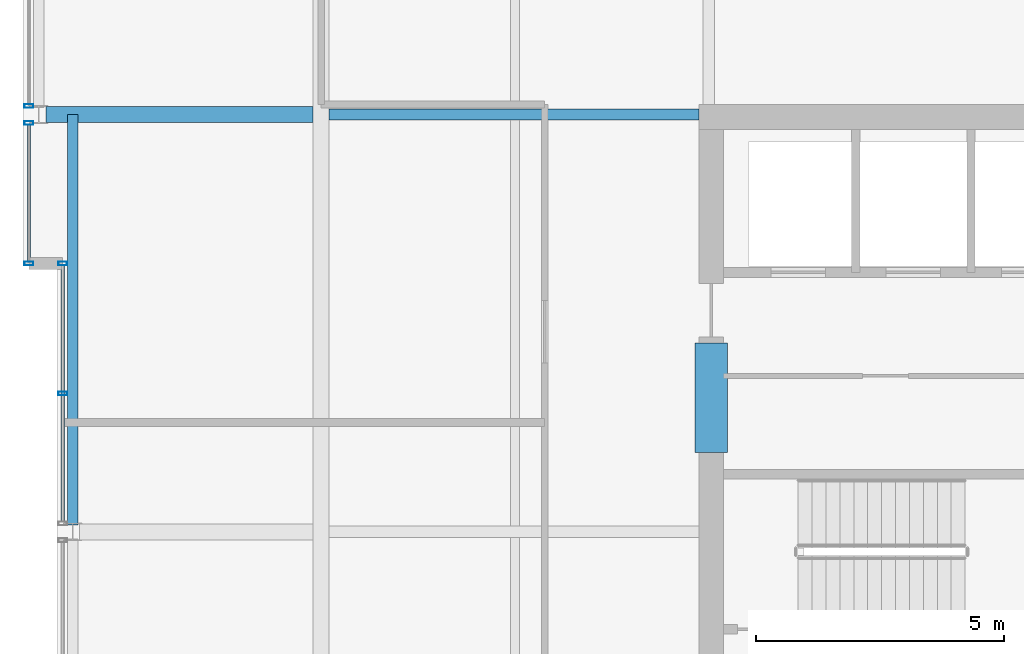
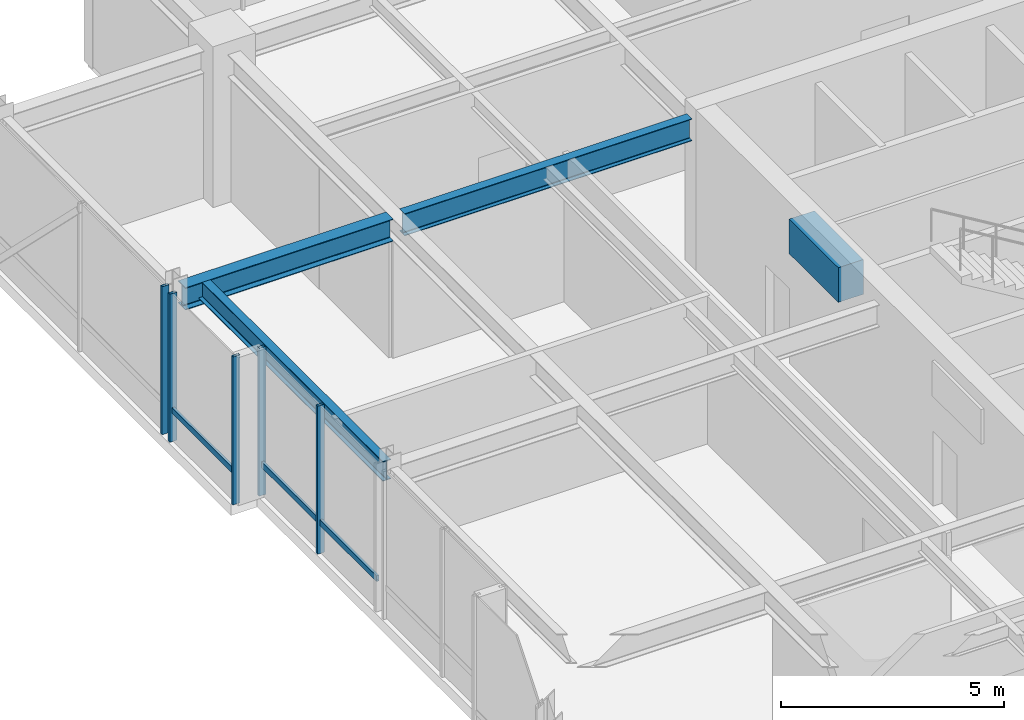
# One storey, part 14 of 33: 7 members, 4 beams, 3 elements without a shape of their own.
"""IFC4 building model written with IfcOpenShell, lengths in metres."""

from ifc_helpers import new_model, si_unit, direction, frame, origin, origin_2d, place, context, subcontext, project, spatial, rectangle, hollow_rectangle, i_section, extrude, material, layer, layer_set, material_profile, profile_set, type_object, element, aggregate, save


model = new_model("IFC4")

# Units and contexts
model_context = context("Model", 3, precision=1e-05, world=origin(), true_north=direction((0.0, 1.0)))
body_context = subcontext(model_context, "Body", "Model", "MODEL_VIEW")
ifc_project = project(units=[si_unit("LENGTHUNIT", "METRE"), si_unit("AREAUNIT", "SQUARE_METRE"), si_unit("VOLUMEUNIT", "CUBIC_METRE"), si_unit("PLANEANGLEUNIT", "RADIAN"), si_unit("MASSUNIT", "GRAM", prefix="KILO")], contexts=[model_context])

# Site, building, storey
site_placement = place(None, origin())
site = spatial("IfcSite", under=ifc_project, at=site_placement, CompositionType="ELEMENT")
building_placement = place(site_placement, origin())
building = spatial("IfcBuilding", under=site, at=building_placement, Name="Drelvath Grand Hotel", CompositionType="ELEMENT")
storey_placement = place(building_placement, frame((0.0, 0.0, 298.60009765625)))
storey = spatial("IfcBuildingStorey", under=building, at=storey_placement, Name="L78", CompositionType="ELEMENT", Elevation=298.60009765625)

# Beam
ifc_material_1 = material(Name="Concrete f'c 55 MPa", Category="concrete")
ifc_material_profile_1 = material_profile(ifc_material_1, rectangle(XDim=0.64990234375, YDim=0.949951171875, at=origin_2d()), Name="CB650X950")
ifc_profile_set_1 = profile_set([ifc_material_profile_1], Name="Concrete f'c 55 MPa")
beam_type_1 = type_object("IfcBeamType", Name="Core Coupling Lintel CB650X950", PredefinedType="LINTEL", material=ifc_profile_set_1)
beam_1_placement = place(storey_placement, frame((-8.35009765625, 28.60009765625, 3.574951171875), z_axis=(0.0, 1.0, 0.0), x_axis=(-1.0, 0.0, 0.0)))
element("IfcBeam", 1, at=beam_1_placement, inside=storey, type_object=beam_type_1, Name="L78 Core Coupling Lintel WN", PredefinedType="LINTEL", context=body_context, shape_type="SweptSolid", body=[
    extrude(rectangle(XDim=0.64990234375, YDim=0.949951171875, at=origin_2d()), origin(), (0.0, 0.0, 1.0), 2.199951171875),
])

# Curtain wall, member
ifc_material_2 = material(Name="Platinum-Mist Anodised Aluminium Frame", Category="aluminium")
ifc_layer = layer(ifc_material_2, 0.199951171875)
ifc_layer_set = layer_set([ifc_layer], Name="Platinum-Mist Anodised Aluminium Frame")
curtain_wall_type = type_object("IfcCurtainWallType", Name="Stick Curtain Wall CW-05 Platinum Mist High-Rise", PredefinedType="NOTDEFINED", material=ifc_layer_set)
curtain_wall_1_placement = place(storey_placement, origin())
curtain_wall_1 = element("IfcCurtainWall", 2, at=curtain_wall_1_placement, inside=storey, type_object=curtain_wall_type, Name="L78 CW-05 Curtain Wall CW05-L78-WM2", PredefinedType="NOTDEFINED")
ifc_material_profile_2 = material_profile(ifc_material_2, hollow_rectangle(XDim=0.06494140625, YDim=0.159912109375, WallThickness=0.00390625, at=origin_2d()), Name="HSS160X65X4")
ifc_profile_set_2 = profile_set([ifc_material_profile_2], Name="Platinum-Mist Anodised Aluminium Frame")
member_type_1 = type_object("IfcMemberType", Name="Curtain Wall Horizontal Transom CW-05 HSS160X65X4", PredefinedType="USERDEFINED", material=ifc_profile_set_2)
member_1_placement = place(storey_placement, frame((-21.39990234375, 27.2099609375, 0.849853515625), z_axis=(0.0, 1.0, 0.0), x_axis=(-1.0, 0.0, 0.0)))
member_1 = element("IfcMember", 3, at=member_1_placement, type_object=member_type_1, Name="CW05-L78-WM2 Sill Transom", ObjectType="TRANSOM", PredefinedType="USERDEFINED", context=body_context, shape_type="SweptSolid", body=[
    extrude(hollow_rectangle(XDim=0.06494140625, YDim=0.159912109375, WallThickness=0.00390625, at=origin_2d()), origin(), (0.0, 0.0, 1.0), 5.150146484375),
])

curtain_wall_2_placement = place(storey_placement, origin())
curtain_wall_2 = element("IfcCurtainWall", 4, at=curtain_wall_2_placement, inside=storey, type_object=curtain_wall_type, Name="L78 CW-05 Curtain Wall CW05-L78-WN1", PredefinedType="NOTDEFINED")
member_2_placement = place(storey_placement, frame((-22.080078125, 32.43994140625, 0.849853515625), z_axis=(0.0, 1.0, 0.0), x_axis=(-1.0, 0.0, 0.0)))
member_2 = element("IfcMember", 5, at=member_2_placement, type_object=member_type_1, Name="CW05-L78-WN1 Sill Transom", ObjectType="TRANSOM", PredefinedType="USERDEFINED", context=body_context, shape_type="SweptSolid", body=[
    extrude(hollow_rectangle(XDim=0.06494140625, YDim=0.159912109375, WallThickness=0.00390625, at=origin_2d()), origin(), (0.0, 0.0, 1.0), 2.75),
])

# Member
ifc_material_profile_3 = material_profile(ifc_material_2, hollow_rectangle(XDim=0.074951171875, YDim=0.179931640625, WallThickness=0.0048828125, at=origin_2d()), Name="HSS180X75X5")
ifc_profile_set_3 = profile_set([ifc_material_profile_3], Name="Platinum-Mist Anodised Aluminium Frame")
member_type_2 = type_object("IfcMemberType", Name="Curtain Wall Vertical Mullion CW-05 HSS180X75X5", PredefinedType="MULLION", material=ifc_profile_set_3)
member_3_placement = place(storey_placement, frame((-21.39990234375, 29.784912109375, 0.0), z_axis=(0.0, 0.0, 1.0), x_axis=(0.0, 1.0, 0.0)))
member_3 = element("IfcMember", 6, at=member_3_placement, type_object=member_type_2, Name="CW05-L78-WM2 Mullion 2", PredefinedType="MULLION", context=body_context, shape_type="SweptSolid", body=[
    extrude(hollow_rectangle(XDim=0.074951171875, YDim=0.179931640625, WallThickness=0.0048828125, at=origin_2d()), origin(), (0.0, 0.0, 1.0), 4.0498046875),
])

member_4_placement = place(storey_placement, frame((-21.39990234375, 32.39990234375, 0.0), z_axis=(0.0, 0.0, 1.0), x_axis=(0.0, 1.0, 0.0)))
member_4 = element("IfcMember", 7, at=member_4_placement, type_object=member_type_2, Name="CW05-L78-WM2 Mullion 3", PredefinedType="MULLION", context=body_context, shape_type="SweptSolid", body=[
    extrude(hollow_rectangle(XDim=0.074951171875, YDim=0.179931640625, WallThickness=0.0048828125, at=origin_2d()), origin(), (0.0, 0.0, 1.0), 4.0498046875),
])

aggregate(curtain_wall_1, [member_3, member_4, member_1])

member_5_placement = place(storey_placement, frame((-22.080078125, 32.39990234375, 0.0), z_axis=(0.0, 0.0, 1.0), x_axis=(0.0, 1.0, 0.0)))
member_5 = element("IfcMember", 8, at=member_5_placement, type_object=member_type_2, Name="CW05-L78-WN1 Mullion 1", PredefinedType="MULLION", context=body_context, shape_type="SweptSolid", body=[
    extrude(hollow_rectangle(XDim=0.074951171875, YDim=0.179931640625, WallThickness=0.0048828125, at=origin_2d()), origin(), (0.0, 0.0, 1.0), 4.0498046875),
])

member_6_placement = place(storey_placement, frame((-22.080078125, 35.22998046875, 0.0), z_axis=(0.0, 0.0, 1.0), x_axis=(0.0, 1.0, 0.0)))
member_6 = element("IfcMember", 9, at=member_6_placement, type_object=member_type_2, Name="CW05-L78-WN1 Mullion 2", PredefinedType="MULLION", context=body_context, shape_type="SweptSolid", body=[
    extrude(hollow_rectangle(XDim=0.074951171875, YDim=0.179931640625, WallThickness=0.0048828125, at=origin_2d()), origin(), (0.0, 0.0, 1.0), 4.0498046875),
])

aggregate(curtain_wall_2, [member_5, member_6, member_2])

# Curtain wall, member
curtain_wall_3_placement = place(storey_placement, origin())
curtain_wall_3 = element("IfcCurtainWall", 10, at=curtain_wall_3_placement, inside=storey, type_object=curtain_wall_type, Name="L78 CW-05 Curtain Wall CW05-L78-WN2", PredefinedType="NOTDEFINED")
member_7_placement = place(storey_placement, frame((-22.080078125, 35.570068359375, 0.0), z_axis=(0.0, 0.0, 1.0), x_axis=(0.0, 1.0, 0.0)))
member_7 = element("IfcMember", 11, at=member_7_placement, type_object=member_type_2, Name="CW05-L78-WN2 Mullion 1", PredefinedType="MULLION", context=body_context, shape_type="SweptSolid", body=[
    extrude(hollow_rectangle(XDim=0.074951171875, YDim=0.179931640625, WallThickness=0.0048828125, at=origin_2d()), origin(), (0.0, 0.0, 1.0), 4.0498046875),
])
aggregate(curtain_wall_3, [member_7])

# Beams
ifc_material_3 = material(Name="Steel ASTM A992 Gr 50", Category="steel")
ifc_material_profile_4 = material_profile(ifc_material_3, i_section(OverallWidth=0.210205078125, OverallDepth=0.53662109375, WebThickness=0.010986328125, FlangeThickness=0.017333984375, FilletRadius=0.01806640625, at=origin_2d()), Name="W21X68")
ifc_profile_set_4 = profile_set([ifc_material_profile_4], Name="Steel ASTM A992 Gr 50")
beam_type_2 = type_object("IfcBeamType", Name="Perimeter Spandrel Beam W21X68", PredefinedType="SPANDREL", material=ifc_profile_set_4)
beam_2_placement = place(storey_placement, frame((-21.199951171875, 27.139892578125, 3.781494140625), z_axis=(0.0, 1.0, 0.0), x_axis=(-1.0, 0.0, 0.0)))
element("IfcBeam", 12, at=beam_2_placement, inside=storey, type_object=beam_type_2, Name="L78 Spandrel West Mid N", PredefinedType="SPANDREL", context=body_context, shape_type="SweptSolid", body=[
    extrude(i_section(OverallWidth=0.210205078125, OverallDepth=0.53662109375, WebThickness=0.010986328125, FlangeThickness=0.017333984375, FilletRadius=0.01806640625, at=origin_2d()), origin(), (0.0, 0.0, 1.0), 8.260009765625),
])
ifc_material_profile_5 = material_profile(ifc_material_3, i_section(OverallWidth=0.323974609375, OverallDepth=0.611083984375, WebThickness=0.0126953125, FlangeThickness=0.01904296875, FilletRadius=0.02197265625, at=origin_2d()), Name="W24X104")
ifc_profile_set_5 = profile_set([ifc_material_profile_5], Name="Steel ASTM A992 Gr 50")
beam_type_3 = type_object("IfcBeamType", Name="Primary Floor Girder W24X104", PredefinedType="BEAM", material=ifc_profile_set_5)
beam_3_placement = place(storey_placement, frame((-21.739990234375, 35.39990234375, 3.744384765625), z_axis=(1.0, 0.0, 0.0), x_axis=(0.0, 1.0, 0.0)))
element("IfcBeam", 13, at=beam_3_placement, inside=storey, type_object=beam_type_3, Name="L78 West Wing Girder F", PredefinedType="BEAM", context=body_context, shape_type="SweptSolid", body=[
    extrude(i_section(OverallWidth=0.323974609375, OverallDepth=0.611083984375, WebThickness=0.0126953125, FlangeThickness=0.01904296875, FilletRadius=0.02197265625, at=origin_2d()), origin(), (0.0, 0.0, 1.0), 5.3779296875),
])
ifc_material_profile_6 = material_profile(ifc_material_3, i_section(OverallWidth=0.228271484375, OverallDepth=0.607666015625, WebThickness=0.01123046875, FlangeThickness=0.017333984375, FilletRadius=0.02001953125, at=origin_2d()), Name="W24X76")
ifc_profile_set_6 = profile_set([ifc_material_profile_6], Name="Steel ASTM A992 Gr 50")
beam_type_4 = type_object("IfcBeamType", Name="Primary Floor Girder W24X76", PredefinedType="BEAM", material=ifc_profile_set_6)
beam_4_placement = place(storey_placement, frame((-16.0380859375, 35.39990234375, 3.74609375), z_axis=(1.0, 0.0, 0.0), x_axis=(0.0, 1.0, 0.0)))
element("IfcBeam", 14, at=beam_4_placement, inside=storey, type_object=beam_type_4, Name="L78 West Core Tie F", PredefinedType="BEAM", context=body_context, shape_type="SweptSolid", body=[
    extrude(i_section(OverallWidth=0.228271484375, OverallDepth=0.607666015625, WebThickness=0.01123046875, FlangeThickness=0.017333984375, FilletRadius=0.02001953125, at=origin_2d()), origin(), (0.0, 0.0, 1.0), 7.43798828125),
])

save(model, "model.ifc")
